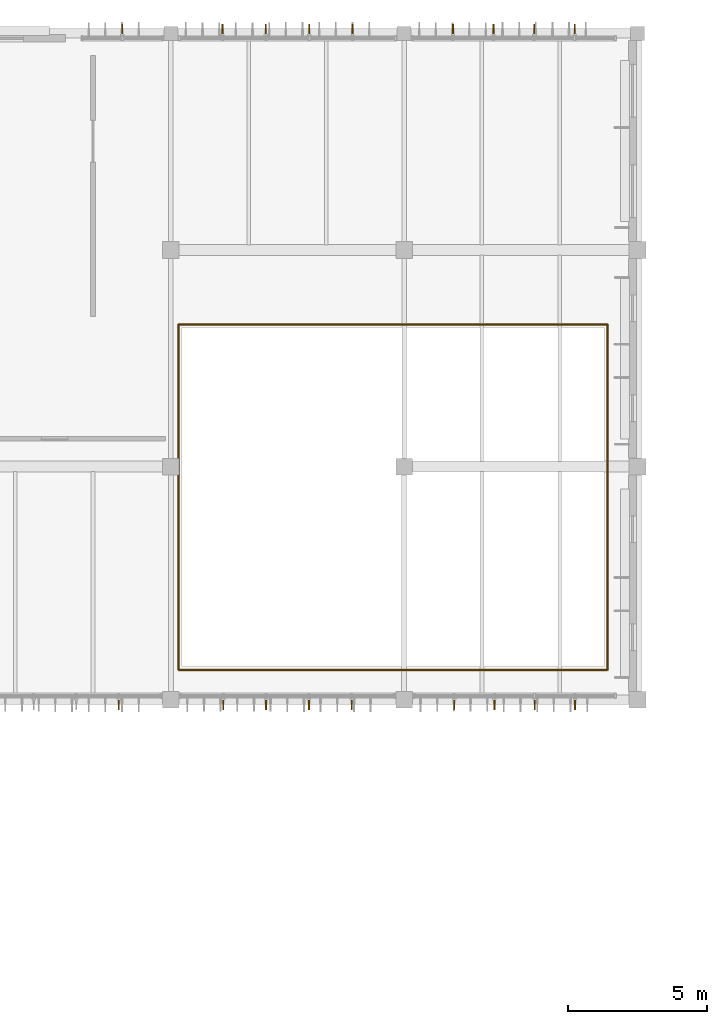
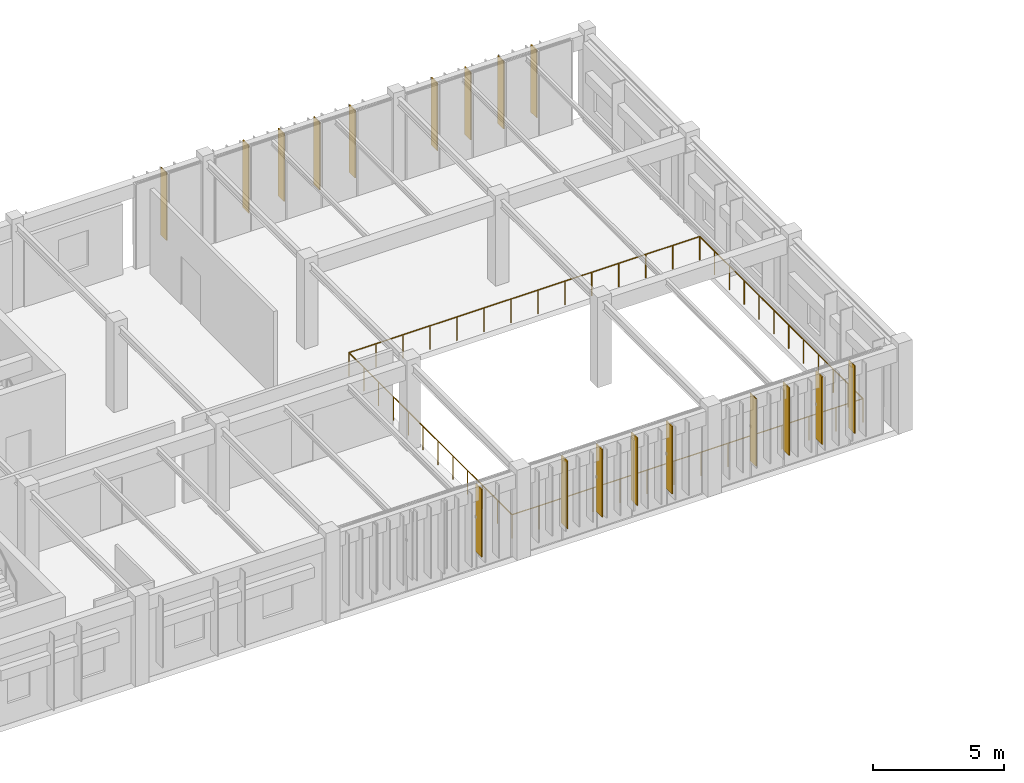
# One storey, part 122 of 122: 18 shading devices, 4 railings.
"""IFC4 building model written with IfcOpenShell, lengths in metres."""

from ifc_helpers import new_model, si_unit, direction, frame, origin, origin_2d, place, context, subcontext, project, spatial, rectangle, circle, extrude, material, layer, layer_set, material_profile, profile_set, type_object, element, save


model = new_model("IFC4")

# Units and contexts
model_context = context("Model", 3, precision=1e-05, world=origin(), true_north=direction((0.0, 1.0)))
body_context = subcontext(model_context, "Body", "Model", "MODEL_VIEW")
ifc_project = project(units=[si_unit("LENGTHUNIT", "METRE"), si_unit("AREAUNIT", "SQUARE_METRE"), si_unit("VOLUMEUNIT", "CUBIC_METRE"), si_unit("PLANEANGLEUNIT", "RADIAN"), si_unit("MASSUNIT", "GRAM", prefix="KILO")], contexts=[model_context])

# Site, building, storey
site_placement = place(None, origin())
site = spatial("IfcSite", under=ifc_project, at=site_placement, CompositionType="ELEMENT")
building_placement = place(site_placement, origin())
building = spatial("IfcBuilding", under=site, at=building_placement, Name="Tazoul Stagehouse", CompositionType="ELEMENT")
storey_placement = place(building_placement, frame((0.0, 0.0, 4.800048828125)))
storey = spatial("IfcBuildingStorey", under=building, at=storey_placement, Name="L01", CompositionType="ELEMENT", Elevation=4.800048828125)

# Shading devices
ifc_material_1 = material(Name="Anodised Bronze Aluminium 6063-T6", Category="aluminium")
ifc_layer_1 = layer(ifc_material_1, 0.050048828125, Name="Anodised Bronze Aluminium 6063-T6")
ifc_layer_set_1 = layer_set([ifc_layer_1], Name="Anodised Bronze Aluminium 6063-T6")
shading_device_type_1 = type_object("IfcShadingDeviceType", Name="Angled Acoustic Sun-Screen Blade 460", PredefinedType="USERDEFINED", material=ifc_layer_set_1)
for number, where, z_axis, x_axis, name in (
    (1, (132.050048828125, 111.89990234375, 0.75), (0.0, 0.0, 1.0), (1.0, 0.0, 0.0), "Shading Louvre FIN-02 CW-V3-N3-L01-B1-SHD01"),
    (2, (135.659912109375, 111.89990234375, 0.75), (0.0, 0.0, 1.0), (1.0, 0.0, 0.0), "Shading Louvre FIN-02 CW-V3-N3-L01-B2-SHD01"),
    (3, (138.780029296875, 111.89990234375, 0.75), (0.0, 0.0, 1.0), (1.0, 0.0, 0.0), "Shading Louvre FIN-02 CW-V3-N3-L01-B2-SHD03"),
    (4, (143.9599609375, 111.89990234375, 0.75), (0.0, 0.0, 1.0), (1.0, 0.0, 0.0), "Shading Louvre FIN-02 CW-V3-N3-L01-B3-SHD01"),
    (5, (146.8798828125, 111.89990234375, 0.75), (0.0, 0.0, 1.0), (1.0, 0.0, 0.0), "Shading Louvre FIN-02 CW-V3-N3-L01-B3-SHD03"),
    (6, (135.68994140625, 87.669921875, 0.75), (0.0, 0.0, 1.0), (1.0, 0.0, 0.0), "Shading Louvre FIN-02 CW-V3-S2-L01-B2-SHD01"),
    (7, (138.77001953125, 87.669921875, 0.75), (0.0, 0.0, 1.0), (1.0, 0.0, 0.0), "Shading Louvre FIN-02 CW-V3-S2-L01-B2-SHD03"),
    (8, (144.0, 87.669921875, 0.75), (0.0, 0.0, 1.0), (1.0, 0.0, 0.0), "Shading Louvre FIN-02 CW-V3-S2-L01-B3-SHD01"),
    (9, (146.89990234375, 87.669921875, 0.75), (0.0, 0.0, 1.0), (1.0, 0.0, 0.0), "Shading Louvre FIN-02 CW-V3-S2-L01-B3-SHD03"),
):
    element("IfcShadingDevice", number, at=place(storey_placement, frame(where, z_axis=z_axis, x_axis=x_axis)), inside=storey, type_object=shading_device_type_1, Name=name, ObjectType="FIN", PredefinedType="USERDEFINED", context=body_context, shape_type="SweptSolid", body=[
        extrude(rectangle(XDim=0.044921875, YDim=0.4599609375, at=origin_2d()), origin(), (0.0, 0.0, 1.0), 3.14990234375),
    ])

# Railings
ifc_material_2 = material(Name="Brushed Stainless Steel 316L", Category="steel")
ifc_material_profile = material_profile(ifc_material_2, circle(Radius=0.02392578125, at=origin_2d()), Name="SS RAIL D48")
ifc_profile_set = profile_set([ifc_material_profile], Name="Brushed Stainless Steel 316L")
railing_type = type_object("IfcRailingType", Name="Architectural Guardrail H1120", PredefinedType="GUARDRAIL", material=ifc_profile_set)
railing_1_placement = place(storey_placement, frame((134.080078125, 88.8798828125, 0.0)))
element("IfcRailing", 10, at=railing_1_placement, inside=storey, type_object=railing_type, Name="L01 Open-Edge Guard GRD-01 (GRD-VOID3-S1)", PredefinedType="GUARDRAIL", context=body_context, shape_type="SweptSolid", body=[
    extrude(circle(Radius=0.02392578125, at=origin_2d()), frame((0.0, 0.0, 1.09619140625), z_axis=(1.0, 0.0, 0.0), x_axis=(0.0, 1.0, 0.0)), (0.0, 0.0, 1.0), 15.43994140625),
    extrude(circle(Radius=0.02099609375, at=origin_2d()), origin(), (0.0, 0.0, 1.0), 1.072021484375),
    extrude(circle(Radius=0.02099609375, at=origin_2d()), frame((1.187744140625, 0.0, 0.0)), (0.0, 0.0, 1.0), 1.072021484375),
    extrude(circle(Radius=0.02099609375, at=origin_2d()), frame((2.37548828125, 0.0, 0.0)), (0.0, 0.0, 1.0), 1.072021484375),
    extrude(circle(Radius=0.02099609375, at=origin_2d()), frame((3.56298828125, 0.0, 0.0)), (0.0, 0.0, 1.0), 1.072021484375),
    extrude(circle(Radius=0.02099609375, at=origin_2d()), frame((4.750732421875, 0.0, 0.0)), (0.0, 0.0, 1.0), 1.072021484375),
    extrude(circle(Radius=0.02099609375, at=origin_2d()), frame((5.9384765625, 0.0, 0.0)), (0.0, 0.0, 1.0), 1.072021484375),
    extrude(circle(Radius=0.02099609375, at=origin_2d()), frame((7.126220703125, 0.0, 0.0)), (0.0, 0.0, 1.0), 1.072021484375),
    extrude(circle(Radius=0.02099609375, at=origin_2d()), frame((8.313720703125, 0.0, 0.0)), (0.0, 0.0, 1.0), 1.072021484375),
    extrude(circle(Radius=0.02099609375, at=origin_2d()), frame((9.50146484375, 0.0, 0.0)), (0.0, 0.0, 1.0), 1.072021484375),
    extrude(circle(Radius=0.02099609375, at=origin_2d()), frame((10.689208984375, 0.0, 0.0)), (0.0, 0.0, 1.0), 1.072021484375),
    extrude(circle(Radius=0.02099609375, at=origin_2d()), frame((11.876953125, 0.0, 0.0)), (0.0, 0.0, 1.0), 1.072021484375),
    extrude(circle(Radius=0.02099609375, at=origin_2d()), frame((13.064453125, 0.0, 0.0)), (0.0, 0.0, 1.0), 1.072021484375),
    extrude(circle(Radius=0.02099609375, at=origin_2d()), frame((14.252197265625, 0.0, 0.0)), (0.0, 0.0, 1.0), 1.072021484375),
    extrude(circle(Radius=0.02099609375, at=origin_2d()), frame((15.43994140625, 0.0, 0.0)), (0.0, 0.0, 1.0), 1.072021484375),
])
railing_2_placement = place(storey_placement, frame((149.52001953125, 88.8798828125, 0.0)))
element("IfcRailing", 11, at=railing_2_placement, inside=storey, type_object=railing_type, Name="L01 Open-Edge Guard GRD-01 (GRD-VOID3-E1)", PredefinedType="GUARDRAIL", context=body_context, shape_type="SweptSolid", body=[
    extrude(circle(Radius=0.02392578125, at=origin_2d()), frame((0.0, 0.0, 1.09619140625), z_axis=(0.0, 1.0, 0.0), x_axis=(-1.0, 0.0, 0.0)), (0.0, 0.0, 1.0), 12.440185546875),
    extrude(circle(Radius=0.02099609375, at=origin_2d()), origin(), (0.0, 0.0, 1.0), 1.072021484375),
    extrude(circle(Radius=0.02099609375, at=origin_2d()), frame((0.0, 1.130859375, 0.0)), (0.0, 0.0, 1.0), 1.072021484375),
    extrude(circle(Radius=0.02099609375, at=origin_2d()), frame((0.0, 2.261962890625, 0.0)), (0.0, 0.0, 1.0), 1.072021484375),
    extrude(circle(Radius=0.02099609375, at=origin_2d()), frame((0.0, 3.392822265625, 0.0)), (0.0, 0.0, 1.0), 1.072021484375),
    extrude(circle(Radius=0.02099609375, at=origin_2d()), frame((0.0, 4.523681640625, 0.0)), (0.0, 0.0, 1.0), 1.072021484375),
    extrude(circle(Radius=0.02099609375, at=origin_2d()), frame((0.0, 5.654541015625, 0.0)), (0.0, 0.0, 1.0), 1.072021484375),
    extrude(circle(Radius=0.02099609375, at=origin_2d()), frame((0.0, 6.78564453125, 0.0)), (0.0, 0.0, 1.0), 1.072021484375),
    extrude(circle(Radius=0.02099609375, at=origin_2d()), frame((0.0, 7.91650390625, 0.0)), (0.0, 0.0, 1.0), 1.072021484375),
    extrude(circle(Radius=0.02099609375, at=origin_2d()), frame((0.0, 9.04736328125, 0.0)), (0.0, 0.0, 1.0), 1.072021484375),
    extrude(circle(Radius=0.02099609375, at=origin_2d()), frame((0.0, 10.17822265625, 0.0)), (0.0, 0.0, 1.0), 1.072021484375),
    extrude(circle(Radius=0.02099609375, at=origin_2d()), frame((0.0, 11.309326171875, 0.0)), (0.0, 0.0, 1.0), 1.072021484375),
    extrude(circle(Radius=0.02099609375, at=origin_2d()), frame((0.0, 12.440185546875, 0.0)), (0.0, 0.0, 1.0), 1.072021484375),
])
railing_3_placement = place(storey_placement, frame((149.52001953125, 101.320068359375, 0.0)))
element("IfcRailing", 12, at=railing_3_placement, inside=storey, type_object=railing_type, Name="L01 Open-Edge Guard GRD-01 (GRD-VOID3-N1)", PredefinedType="GUARDRAIL", context=body_context, shape_type="SweptSolid", body=[
    extrude(circle(Radius=0.02392578125, at=origin_2d()), frame((0.0, 0.0, 1.09619140625), z_axis=(-1.0, 0.0, 0.0), x_axis=(0.0, -1.0, 0.0)), (0.0, 0.0, 1.0), 15.43994140625),
    extrude(circle(Radius=0.02099609375, at=origin_2d()), origin(), (0.0, 0.0, 1.0), 1.072021484375),
    extrude(circle(Radius=0.02099609375, at=origin_2d()), frame((-1.187744140625, 0.0, 0.0)), (0.0, 0.0, 1.0), 1.072021484375),
    extrude(circle(Radius=0.02099609375, at=origin_2d()), frame((-2.37548828125, 0.0, 0.0)), (0.0, 0.0, 1.0), 1.072021484375),
    extrude(circle(Radius=0.02099609375, at=origin_2d()), frame((-3.56298828125, 0.0, 0.0)), (0.0, 0.0, 1.0), 1.072021484375),
    extrude(circle(Radius=0.02099609375, at=origin_2d()), frame((-4.750732421875, 0.0, 0.0)), (0.0, 0.0, 1.0), 1.072021484375),
    extrude(circle(Radius=0.02099609375, at=origin_2d()), frame((-5.9384765625, 0.0, 0.0)), (0.0, 0.0, 1.0), 1.072021484375),
    extrude(circle(Radius=0.02099609375, at=origin_2d()), frame((-7.126220703125, 0.0, 0.0)), (0.0, 0.0, 1.0), 1.072021484375),
    extrude(circle(Radius=0.02099609375, at=origin_2d()), frame((-8.313720703125, 0.0, 0.0)), (0.0, 0.0, 1.0), 1.072021484375),
    extrude(circle(Radius=0.02099609375, at=origin_2d()), frame((-9.50146484375, 0.0, 0.0)), (0.0, 0.0, 1.0), 1.072021484375),
    extrude(circle(Radius=0.02099609375, at=origin_2d()), frame((-10.689208984375, 0.0, 0.0)), (0.0, 0.0, 1.0), 1.072021484375),
    extrude(circle(Radius=0.02099609375, at=origin_2d()), frame((-11.876953125, 0.0, 0.0)), (0.0, 0.0, 1.0), 1.072021484375),
    extrude(circle(Radius=0.02099609375, at=origin_2d()), frame((-13.064453125, 0.0, 0.0)), (0.0, 0.0, 1.0), 1.072021484375),
    extrude(circle(Radius=0.02099609375, at=origin_2d()), frame((-14.252197265625, 0.0, 0.0)), (0.0, 0.0, 1.0), 1.072021484375),
    extrude(circle(Radius=0.02099609375, at=origin_2d()), frame((-15.43994140625, 0.0, 0.0)), (0.0, 0.0, 1.0), 1.072021484375),
])
railing_4_placement = place(storey_placement, frame((134.080078125, 101.320068359375, 0.0)))
element("IfcRailing", 13, at=railing_4_placement, inside=storey, type_object=railing_type, Name="L01 Open-Edge Guard GRD-01 (GRD-VOID3-W1)", PredefinedType="GUARDRAIL", context=body_context, shape_type="SweptSolid", body=[
    extrude(circle(Radius=0.02392578125, at=origin_2d()), frame((0.0, 0.0, 1.09619140625), z_axis=(0.0, -1.0, 0.0), x_axis=(1.0, 0.0, 0.0)), (0.0, 0.0, 1.0), 12.440185546875),
    extrude(circle(Radius=0.02099609375, at=origin_2d()), origin(), (0.0, 0.0, 1.0), 1.072021484375),
    extrude(circle(Radius=0.02099609375, at=origin_2d()), frame((0.0, -1.130859375, 0.0)), (0.0, 0.0, 1.0), 1.072021484375),
    extrude(circle(Radius=0.02099609375, at=origin_2d()), frame((0.0, -2.261962890625, 0.0)), (0.0, 0.0, 1.0), 1.072021484375),
    extrude(circle(Radius=0.02099609375, at=origin_2d()), frame((0.0, -3.392822265625, 0.0)), (0.0, 0.0, 1.0), 1.072021484375),
    extrude(circle(Radius=0.02099609375, at=origin_2d()), frame((0.0, -4.523681640625, 0.0)), (0.0, 0.0, 1.0), 1.072021484375),
    extrude(circle(Radius=0.02099609375, at=origin_2d()), frame((0.0, -5.654541015625, 0.0)), (0.0, 0.0, 1.0), 1.072021484375),
    extrude(circle(Radius=0.02099609375, at=origin_2d()), frame((0.0, -6.78564453125, 0.0)), (0.0, 0.0, 1.0), 1.072021484375),
    extrude(circle(Radius=0.02099609375, at=origin_2d()), frame((0.0, -7.91650390625, 0.0)), (0.0, 0.0, 1.0), 1.072021484375),
    extrude(circle(Radius=0.02099609375, at=origin_2d()), frame((0.0, -9.04736328125, 0.0)), (0.0, 0.0, 1.0), 1.072021484375),
    extrude(circle(Radius=0.02099609375, at=origin_2d()), frame((0.0, -10.17822265625, 0.0)), (0.0, 0.0, 1.0), 1.072021484375),
    extrude(circle(Radius=0.02099609375, at=origin_2d()), frame((0.0, -11.309326171875, 0.0)), (0.0, 0.0, 1.0), 1.072021484375),
    extrude(circle(Radius=0.02099609375, at=origin_2d()), frame((0.0, -12.440185546875, 0.0)), (0.0, 0.0, 1.0), 1.072021484375),
])

# Shading devices
ifc_layer_2 = layer(ifc_material_1, 0.044921875, Name="Anodised Bronze Aluminium 6063-T6")
ifc_layer_set_2 = layer_set([ifc_layer_2], Name="Anodised Bronze Aluminium 6063-T6")
shading_device_type_2 = type_object("IfcShadingDeviceType", Name="Vertical Extruded Terracotta-Bronze Louvre 460", PredefinedType="JALOUSIE", material=ifc_layer_set_2)
for number, where, z_axis, x_axis, name in (
    (14, (137.219970703125, 111.89990234375, 0.75), (0.0, 0.0, 1.0), (1.0, 0.0, 0.0), "Shading Louvre FIN-01 CW-V3-N3-L01-B2-SHD02"),
    (15, (140.340087890625, 111.89990234375, 0.75), (0.0, 0.0, 1.0), (1.0, 0.0, 0.0), "Shading Louvre FIN-01 CW-V3-N3-L01-B2-SHD04"),
    (16, (145.419921875, 111.89990234375, 0.75), (0.0, 0.0, 1.0), (1.0, 0.0, 0.0), "Shading Louvre FIN-01 CW-V3-N3-L01-B3-SHD02"),
    (17, (148.340087890625, 111.89990234375, 0.75), (0.0, 0.0, 1.0), (1.0, 0.0, 0.0), "Shading Louvre FIN-01 CW-V3-N3-L01-B3-SHD04"),
    (18, (131.919921875, 87.669921875, 0.75), (0.0, 0.0, 1.0), (1.0, 0.0, 0.0), "Shading Louvre FIN-01 CW-V3-S2-L01-B1-SHD04"),
    (19, (137.22998046875, 87.669921875, 0.75), (0.0, 0.0, 1.0), (1.0, 0.0, 0.0), "Shading Louvre FIN-01 CW-V3-S2-L01-B2-SHD02"),
    (20, (140.31005859375, 87.669921875, 0.75), (0.0, 0.0, 1.0), (1.0, 0.0, 0.0), "Shading Louvre FIN-01 CW-V3-S2-L01-B2-SHD04"),
    (21, (145.449951171875, 87.669921875, 0.75), (0.0, 0.0, 1.0), (1.0, 0.0, 0.0), "Shading Louvre FIN-01 CW-V3-S2-L01-B3-SHD02"),
    (22, (148.35009765625, 87.669921875, 0.75), (0.0, 0.0, 1.0), (1.0, 0.0, 0.0), "Shading Louvre FIN-01 CW-V3-S2-L01-B3-SHD04"),
):
    element("IfcShadingDevice", number, at=place(storey_placement, frame(where, z_axis=z_axis, x_axis=x_axis)), inside=storey, type_object=shading_device_type_2, Name=name, PredefinedType="JALOUSIE", context=body_context, shape_type="SweptSolid", body=[
        extrude(rectangle(XDim=0.044921875, YDim=0.4599609375, at=origin_2d()), origin(), (0.0, 0.0, 1.0), 3.14990234375),
    ])

save(model, "model.ifc")
